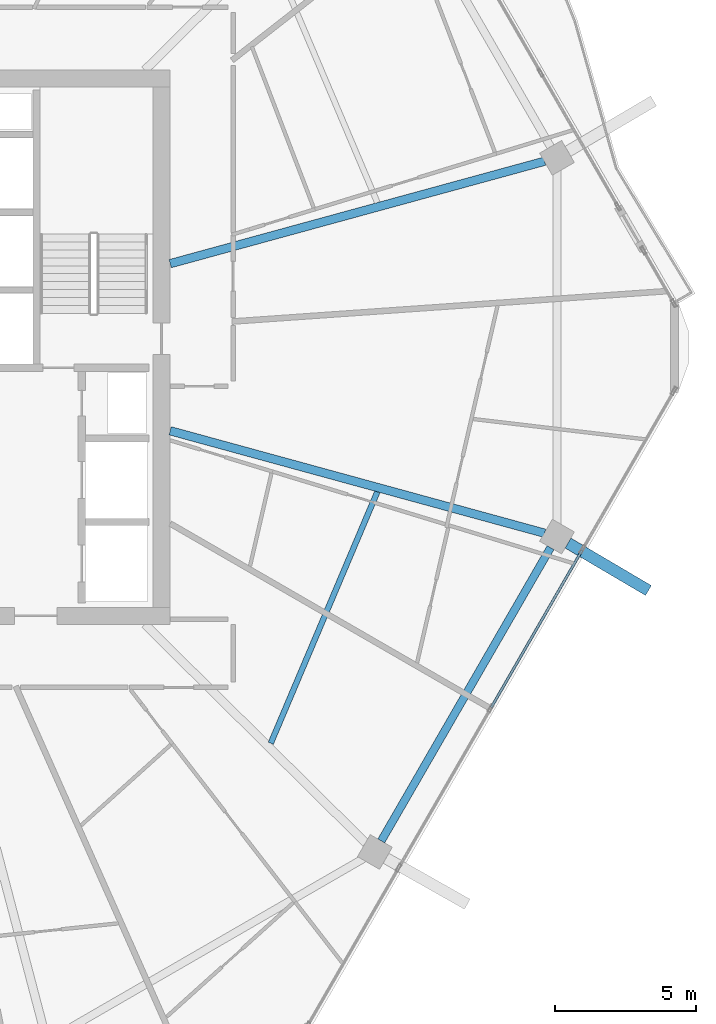
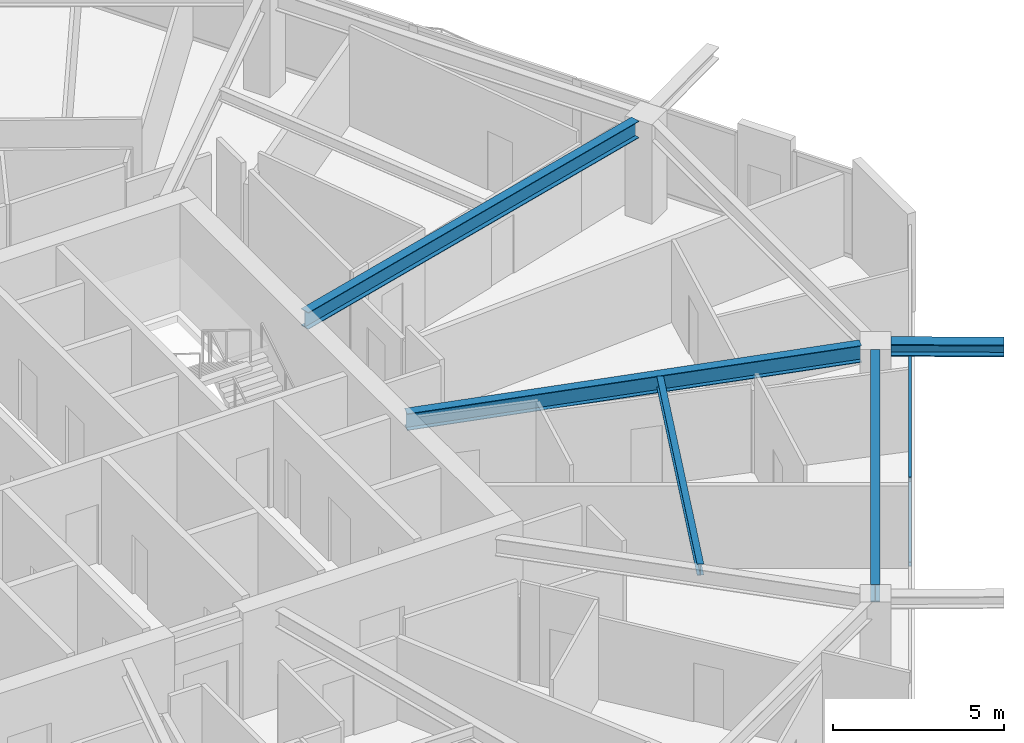
# One storey, part 9 of 26: 5 beams, 2 members, 1 element without a shape of its own.
"""IFC4 building model written with IfcOpenShell, lengths in metres."""

from ifc_helpers import new_model, si_unit, direction, frame, origin, origin_2d, place, context, subcontext, project, spatial, hollow_rectangle, i_section, extrude, material, material_profile, profile_set, type_object, element, aggregate, save


model = new_model("IFC4")

# Units and contexts
model_context = context("Model", 3, precision=1e-05, world=origin(), true_north=direction((0.0, 1.0)))
body_context = subcontext(model_context, "Body", "Model", "MODEL_VIEW")
ifc_project = project(units=[si_unit("LENGTHUNIT", "METRE"), si_unit("AREAUNIT", "SQUARE_METRE"), si_unit("VOLUMEUNIT", "CUBIC_METRE"), si_unit("PLANEANGLEUNIT", "RADIAN"), si_unit("MASSUNIT", "GRAM", prefix="KILO")], contexts=[model_context])

# Site, building, storey
site_placement = place(None, origin())
site = spatial("IfcSite", under=ifc_project, at=site_placement, CompositionType="ELEMENT")
building_placement = place(site_placement, origin())
building = spatial("IfcBuilding", under=site, at=building_placement, Name="Zuhravey Tower", CompositionType="ELEMENT")
storey_placement = place(building_placement, frame((0.0, 0.0, 250.199951171875)))
storey = spatial("IfcBuildingStorey", under=building, at=storey_placement, Name="L63", CompositionType="ELEMENT", Elevation=250.199951171875)

# Curtain wall, members
ifc_material_1 = material(Name="Thermally broken anodised aluminium", Category="aluminium")
curtain_wall_type = type_object("IfcCurtainWallType", Name="Zone 3-4 High-Rise Curtain Wall CW4", PredefinedType="NOTDEFINED", material=ifc_material_1)
curtain_wall_placement = place(storey_placement, origin())
curtain_wall = element("IfcCurtainWall", 1, at=curtain_wall_placement, inside=storey, type_object=curtain_wall_type, Name="L63 CW4 CW-L63-F6-1", PredefinedType="NOTDEFINED")
ifc_material_2 = material(Name="Anodised aluminium", Category="aluminium")
ifc_material_profile_1 = material_profile(ifc_material_2, hollow_rectangle(XDim=0.090087890625, YDim=0.14990234375, WallThickness=0.0048828125, at=origin_2d()), Name="ALU-RHS-90x150x5")
ifc_profile_set_1 = profile_set([ifc_material_profile_1], Name="Anodised aluminium")
member_type = type_object("IfcMemberType", Name="Curtain-Wall Transom 90x150", PredefinedType="USERDEFINED", material=ifc_profile_set_1)
member_1_placement = place(storey_placement, frame((61.369384765625, 24.81396484375, 0.045166015625), z_axis=(-0.499998017366, -0.866026548456, 0.0), x_axis=(0.866026548456, -0.499998017366, 0.0)))
member_1 = element("IfcMember", 2, at=member_1_placement, type_object=member_type, Name="CW4 transom 2.1", ObjectType="TRANSOM", PredefinedType="USERDEFINED", context=body_context, shape_type="SweptSolid", body=[
    extrude(hollow_rectangle(XDim=0.090087890625, YDim=0.14990234375, WallThickness=0.0048828125, at=origin_2d()), origin(), (0.0, 0.0, 1.0), 6.41650390625),
])
member_2_placement = place(storey_placement, frame((61.369384765625, 24.81396484375, 3.0771484375), z_axis=(-0.499998017366, -0.866026548456, 0.0), x_axis=(0.866026548456, -0.499998017366, 0.0)))
member_2 = element("IfcMember", 3, at=member_2_placement, type_object=member_type, Name="CW4 transom 2.2", ObjectType="TRANSOM", PredefinedType="USERDEFINED", context=body_context, shape_type="SweptSolid", body=[
    extrude(hollow_rectangle(XDim=0.090087890625, YDim=0.14990234375, WallThickness=0.0048828125, at=origin_2d()), origin(), (0.0, 0.0, 1.0), 6.41650390625),
])
aggregate(curtain_wall, [member_1, member_2])

# Beams
ifc_material_3 = material(Name="Steel SM460", Category="steel")
ifc_material_profile_2 = material_profile(ifc_material_3, i_section(OverallWidth=0.406982421875, OverallDepth=0.427978515625, WebThickness=0.02001953125, FlangeThickness=0.034912109375, at=origin_2d()), Name="H-428x407x20x35")
ifc_profile_set_2 = profile_set([ifc_material_profile_2], Name="Steel SM460")
beam_type_1 = type_object("IfcBeamType", Name="Exoskeleton Node Tie Beam H428x407", PredefinedType="BEAM", material=ifc_profile_set_2)
beam_1_placement = place(storey_placement, frame((60.875732421875, 25.070556640625, 3.3359375), z_axis=(0.861608927627, -0.507572709898, 0.0), x_axis=(0.507572709898, 0.861608927627, 0.0)))
element("IfcBeam", 4, at=beam_1_placement, inside=storey, type_object=beam_type_1, Name="L63 Exoskeleton Node Tie NT1-12", PredefinedType="BEAM", context=body_context, shape_type="SweptSolid", body=[
    extrude(i_section(OverallWidth=0.406982421875, OverallDepth=0.427978515625, WebThickness=0.02001953125, FlangeThickness=0.034912109375, at=origin_2d()), origin(), (0.0, 0.0, 1.0), 3.301025390625),
])
ifc_material_4 = material(Name="Steel SM355", Category="steel")
ifc_material_profile_3 = material_profile(ifc_material_4, i_section(OverallWidth=0.280029296875, OverallDepth=0.6201171875, WebThickness=0.011962890625, FlangeThickness=0.02001953125, at=origin_2d()), Name="H-620x280x12x20")
ifc_profile_set_3 = profile_set([ifc_material_profile_3], Name="Steel SM355")
beam_type_2 = type_object("IfcBeamType", Name="Perimeter Ring Beam H620x280", PredefinedType="BEAM", material=ifc_profile_set_3)
beam_2_placement = place(storey_placement, frame((54.27001953125, 14.53759765625, 3.239990234375), z_axis=(0.500017744717, 0.866015158625, 0.0), x_axis=(-0.866015158625, 0.500017744717, 0.0)))
element("IfcBeam", 5, at=beam_2_placement, inside=storey, type_object=beam_type_2, Name="L63 PB3 BM-L63-PB-11", PredefinedType="BEAM", context=body_context, shape_type="SweptSolid", body=[
    extrude(i_section(OverallWidth=0.280029296875, OverallDepth=0.6201171875, WebThickness=0.011962890625, FlangeThickness=0.02001953125, at=origin_2d()), origin(), (0.0, 0.0, 1.0), 11.9755859375),
])
ifc_material_profile_4 = material_profile(ifc_material_4, i_section(OverallWidth=0.300048828125, OverallDepth=0.60009765625, WebThickness=0.011962890625, FlangeThickness=0.02001953125, at=origin_2d()), Name="H-600x300x12x20")
ifc_profile_set_4 = profile_set([ifc_material_profile_4], Name="Steel SM355")
beam_type_3 = type_object("IfcBeamType", Name="Radial Primary Girder H600x300", PredefinedType="BEAM", material=ifc_profile_set_4)
for number, where, z_axis, x_axis, name in (
    (6, (46.802978515625, 34.95556640625, 3.25), (0.964548913045, 0.26390413855, 0.0), (-0.26390413855, 0.964548913045, 0.0), "L63 RG3 BM-L63-RAD-01"),
    (7, (46.802978515625, 29.04443359375, 3.25), (0.964548913045, -0.26390413855, 0.0), (0.26390413855, 0.964548913045, 0.0), "L63 RG3 BM-L63-RAD-12"),
):
    element("IfcBeam", number, at=place(storey_placement, frame(where, z_axis=z_axis, x_axis=x_axis)), inside=storey, type_object=beam_type_3, Name=name, PredefinedType="BEAM", context=body_context, shape_type="SweptSolid", body=[
        extrude(i_section(OverallWidth=0.300048828125, OverallDepth=0.60009765625, WebThickness=0.011962890625, FlangeThickness=0.02001953125, at=origin_2d()), origin(), (0.0, 0.0, 1.0), 13.7314453125),
    ])
ifc_material_profile_5 = material_profile(ifc_material_4, i_section(OverallWidth=0.199951171875, OverallDepth=0.39990234375, WebThickness=0.008056640625, FlangeThickness=0.012939453125, at=origin_2d()), Name="H-400x200x8x13")
ifc_profile_set_5 = profile_set([ifc_material_profile_5], Name="Steel SM355")
beam_type_4 = type_object("IfcBeamType", Name="Secondary Floor Joist H400x200", PredefinedType="JOIST", material=ifc_profile_set_5)
beam_3_placement = place(storey_placement, frame((50.36083984375, 17.990966796875, 3.35009765625), z_axis=(0.390413493754, 0.920639616731, 0.0), x_axis=(-0.920639616731, 0.390413493754, 0.0)))
element("IfcBeam", 8, at=beam_3_placement, inside=storey, type_object=beam_type_4, Name="L63 SJ2 BM-L63-SJ-11-1", PredefinedType="JOIST", context=body_context, shape_type="SweptSolid", body=[
    extrude(i_section(OverallWidth=0.199951171875, OverallDepth=0.39990234375, WebThickness=0.008056640625, FlangeThickness=0.012939453125, at=origin_2d()), origin(), (0.0, 0.0, 1.0), 9.656494140625),
])

save(model, "model.ifc")
